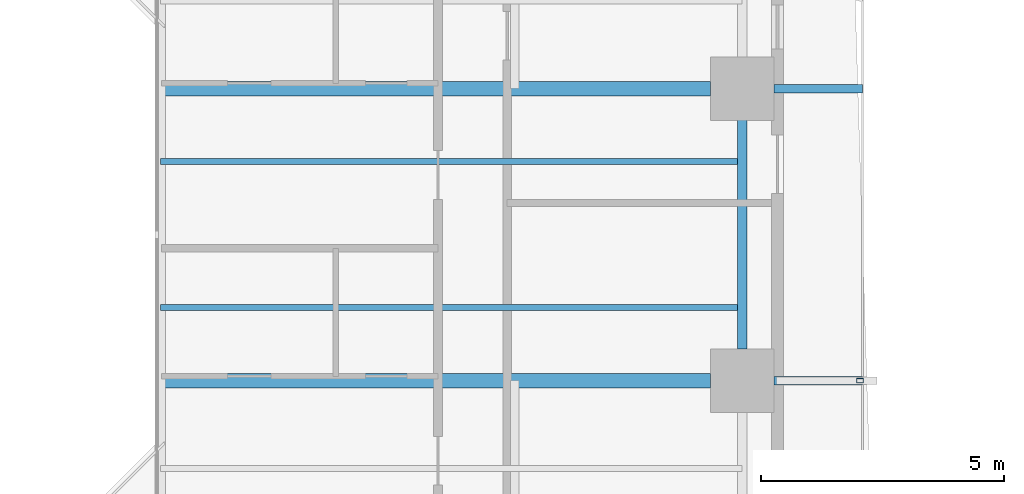
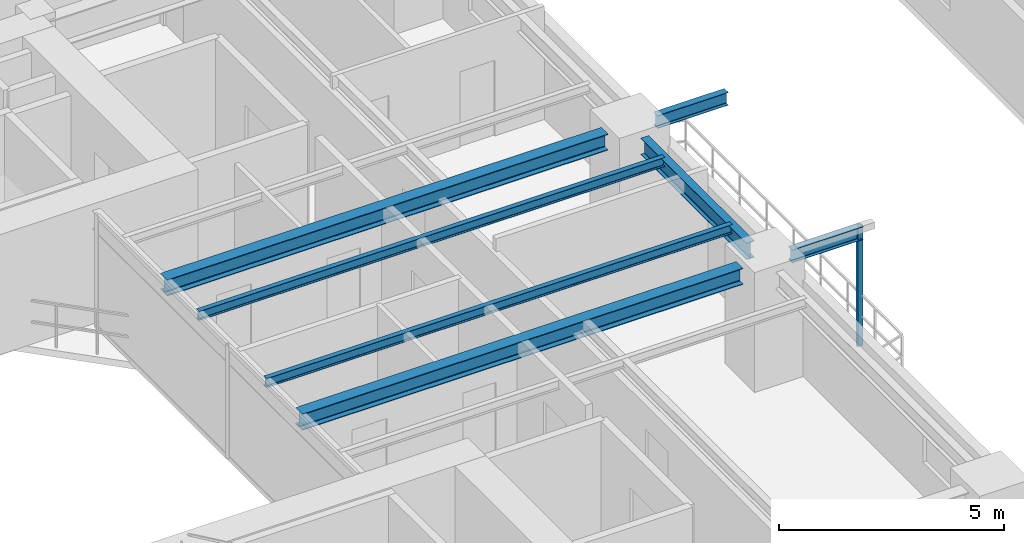
# One storey, part 7 of 23: 7 beams, 1 member.
"""IFC4 building model written with IfcOpenShell, lengths in metres."""

from ifc_helpers import new_model, si_unit, direction, frame, origin, origin_2d, place, context, subcontext, project, spatial, hollow_rectangle, i_section, extrude, source, transform, mapped, material, material_profile, profile_set, type_object, element, save


model = new_model("IFC4")

# Units and contexts
model_context = context("Model", 3, precision=1e-05, world=origin(), true_north=direction((0.0, 1.0)))
body_context = subcontext(model_context, "Body", "Model", "MODEL_VIEW")
ifc_project = project(units=[si_unit("LENGTHUNIT", "METRE"), si_unit("AREAUNIT", "SQUARE_METRE"), si_unit("VOLUMEUNIT", "CUBIC_METRE"), si_unit("PLANEANGLEUNIT", "RADIAN"), si_unit("MASSUNIT", "GRAM", prefix="KILO"), si_unit("THERMODYNAMICTEMPERATUREUNIT", "KELVIN"), si_unit("POWERUNIT", "WATT")], contexts=[model_context])

# Site, building, storey
site_placement = place(None, origin())
site = spatial("IfcSite", under=ifc_project, at=site_placement, CompositionType="ELEMENT")
building_placement = place(site_placement, origin())
building = spatial("IfcBuilding", under=site, at=building_placement, Name="Qiaomeng Ring Towers", CompositionType="ELEMENT")
storey_placement = place(building_placement, frame((0.0, 0.0, 26.25)))
storey = spatial("IfcBuildingStorey", under=building, at=storey_placement, Name="L06", CompositionType="ELEMENT", Elevation=26.25)

# Beams
ifc_material_1 = material(Name="Steel Q355B", Category="steel")
ifc_material_profile_1 = material_profile(ifc_material_1, i_section(OverallWidth=0.199951171875, OverallDepth=0.449951171875, WebThickness=0.009033203125, FlangeThickness=0.013916015625, FilletRadius=0.01806640625, at=origin_2d()), Name="HN 450x200x9x14")
ifc_profile_set_1 = profile_set([ifc_material_profile_1], Name="Steel Q355B")
beam_type_1 = type_object("IfcBeamType", Name="STR-BM-HN450", PredefinedType="SPANDREL", material=ifc_profile_set_1)
shared_shape_1 = source(origin(), body_context, "Body", "SweptSolid", [
    extrude(i_section(OverallWidth=0.199951171875, OverallDepth=0.449951171875, WebThickness=0.009033203125, FlangeThickness=0.013916015625, FilletRadius=0.01806640625, at=origin_2d()), origin(), (0.0, 0.0, 1.0), 4.7021484375),
])
beam_placement = place(storey_placement, frame((37.14990234375, 20.64892578125, 2.844970703125), z_axis=(0.0, 1.0, 0.0), x_axis=(-1.0, 0.0, 0.0)))
element("IfcBeam", 1, at=beam_placement, inside=storey, type_object=beam_type_1, Name="L06 beam STR-SP-L06-T1-E2-E3", PredefinedType="SPANDREL", context=body_context, shape_type="MappedRepresentation", body=[
    mapped(shared_shape_1, transform((0.0, 0.0, 0.0), x_axis=(1.0, 0.0, 0.0), y_axis=(0.0, 1.0, 0.0), z_axis=(0.0, 0.0, 1.0), scale=1.0)),
])
ifc_material_profile_2 = material_profile(ifc_material_1, i_section(OverallWidth=0.300048828125, OverallDepth=0.43994140625, WebThickness=0.010986328125, FlangeThickness=0.01806640625, FilletRadius=0.02392578125, at=origin_2d()), Name="HM 440x300x11x18")
ifc_profile_set_2 = profile_set([ifc_material_profile_2], Name="Steel Q355B")
beam_type_2 = type_object("IfcBeamType", Name="STR-BM-HM440", PredefinedType="BEAM", material=ifc_profile_set_2)
shared_shape_2 = source(origin(), body_context, "Body", "SweptSolid", [
    extrude(i_section(OverallWidth=0.300048828125, OverallDepth=0.43994140625, WebThickness=0.010986328125, FlangeThickness=0.01806640625, FilletRadius=0.02392578125, at=origin_2d()), origin(), (0.0, 0.0, 1.0), 11.301025390625),
])
for number, where, z_axis, x_axis, name in (
    (2, (25.199951171875, 20.0, 2.85009765625), (1.0, 0.0, 0.0), (0.0, 1.0, 0.0), "L06 beam STR-BM-L06-T1-RAD-E2"),
    (3, (25.199951171875, 26.0, 2.85009765625), (1.0, 0.0, 0.0), (0.0, 1.0, 0.0), "L06 beam STR-BM-L06-T1-RAD-E3"),
):
    element("IfcBeam", number, at=place(storey_placement, frame(where, z_axis=z_axis, x_axis=x_axis)), inside=storey, type_object=beam_type_2, Name=name, PredefinedType="BEAM", context=body_context, shape_type="MappedRepresentation", body=[
        mapped(shared_shape_2, transform((0.0, 0.0, 0.0), x_axis=(1.0, 0.0, 0.0), y_axis=(0.0, 1.0, 0.0), z_axis=(0.0, 0.0, 1.0), scale=1.0)),
    ])
ifc_material_profile_3 = material_profile(ifc_material_1, i_section(OverallWidth=0.175048828125, OverallDepth=0.35009765625, WebThickness=0.007080078125, FlangeThickness=0.010986328125, FilletRadius=0.013916015625, at=origin_2d()), Name="HN 350x175x7x11")
ifc_profile_set_3 = profile_set([ifc_material_profile_3], Name="Steel Q355B")
beam_type_3 = type_object("IfcBeamType", Name="STR-BM-HN350", PredefinedType="JOIST", material=ifc_profile_set_3)
shared_shape_3 = source(origin(), body_context, "Body", "SweptSolid", [
    extrude(i_section(OverallWidth=0.175048828125, OverallDepth=0.35009765625, WebThickness=0.007080078125, FlangeThickness=0.010986328125, FilletRadius=0.013916015625, at=origin_2d()), origin(), (0.0, 0.0, 1.0), 1.821044921875),
])
for number, where, z_axis, x_axis, name in (
    (4, (37.799072265625, 20.0, 2.89501953125), (1.0, 0.0, 0.0), (0.0, 1.0, 0.0), "L06 beam STR-BALBM-L06-E2"),
    (5, (37.799072265625, 26.0, 2.89501953125), (1.0, 0.0, 0.0), (0.0, 1.0, 0.0), "L06 beam STR-BALBM-L06-E3"),
):
    element("IfcBeam", number, at=place(storey_placement, frame(where, z_axis=z_axis, x_axis=x_axis)), inside=storey, type_object=beam_type_3, Name=name, PredefinedType="JOIST", context=body_context, shape_type="MappedRepresentation", body=[
        mapped(shared_shape_3, transform((0.0, 0.0, 0.0), x_axis=(1.0, 0.0, 0.0), y_axis=(0.0, 1.0, 0.0), z_axis=(0.0, 0.0, 1.0), scale=1.0)),
    ])
ifc_material_profile_4 = material_profile(ifc_material_1, i_section(OverallWidth=0.125, OverallDepth=0.25, WebThickness=0.006103515625, FlangeThickness=0.009033203125, FilletRadius=0.011962890625, at=origin_2d()), Name="HN 250x125x6x9")
ifc_profile_set_4 = profile_set([ifc_material_profile_4], Name="Steel Q355B")
beam_type_4 = type_object("IfcBeamType", Name="STR-BM-HN250", PredefinedType="JOIST", material=ifc_profile_set_4)
shared_shape_4 = source(origin(), body_context, "Body", "SweptSolid", [
    extrude(i_section(OverallWidth=0.125, OverallDepth=0.25, WebThickness=0.006103515625, FlangeThickness=0.009033203125, FilletRadius=0.011962890625, at=origin_2d()), origin(), (0.0, 0.0, 1.0), 11.949951171875),
])
for number, where, z_axis, x_axis, name in (
    (6, (25.199951171875, 21.5, 2.945068359375), (1.0, 0.0, 0.0), (0.0, 1.0, 0.0), "L06 beam STR-JST-L06-T1E-2"),
    (7, (25.199951171875, 24.5, 2.945068359375), (1.0, 0.0, 0.0), (0.0, 1.0, 0.0), "L06 beam STR-JST-L06-T1E-3"),
):
    element("IfcBeam", number, at=place(storey_placement, frame(where, z_axis=z_axis, x_axis=x_axis)), inside=storey, type_object=beam_type_4, Name=name, PredefinedType="JOIST", context=body_context, shape_type="MappedRepresentation", body=[
        mapped(shared_shape_4, transform((0.0, 0.0, 0.0), x_axis=(1.0, 0.0, 0.0), y_axis=(0.0, 1.0, 0.0), z_axis=(0.0, 0.0, 1.0), scale=1.0)),
    ])

# Member
ifc_material_2 = material(Name="Stainless steel 316", Category="steel")
ifc_material_profile_5 = material_profile(ifc_material_2, hollow_rectangle(XDim=0.090087890625, YDim=0.139892578125, WallThickness=0.0048828125, at=origin_2d()), Name="SS TRELLIS 90x140")
ifc_profile_set_5 = profile_set([ifc_material_profile_5], Name="Stainless steel 316")
member_type = type_object("IfcMemberType", Name="ARC-TR-POST1", PredefinedType="STUD", material=ifc_profile_set_5)
shared_shape_5 = source(origin(), body_context, "Body", "SweptSolid", [
    extrude(hollow_rectangle(XDim=0.090087890625, YDim=0.139892578125, WallThickness=0.0048828125, at=origin_2d()), origin(), (0.0, 0.0, 1.0), 3.25),
])
member_placement = place(storey_placement, frame((39.570068359375, 20.0, -0.179931640625), z_axis=(0.0, 0.0, 1.0), x_axis=(0.0, 1.0, 0.0)))
element("IfcMember", 8, at=member_placement, inside=storey, type_object=member_type, Name="L06 Outer Ventilated Trellis Post E", PredefinedType="STUD", context=body_context, shape_type="MappedRepresentation", body=[
    mapped(shared_shape_5, transform((0.0, 0.0, 0.0), x_axis=(1.0, 0.0, 0.0), y_axis=(0.0, 1.0, 0.0), z_axis=(0.0, 0.0, 1.0), scale=1.0)),
])

save(model, "model.ifc")
